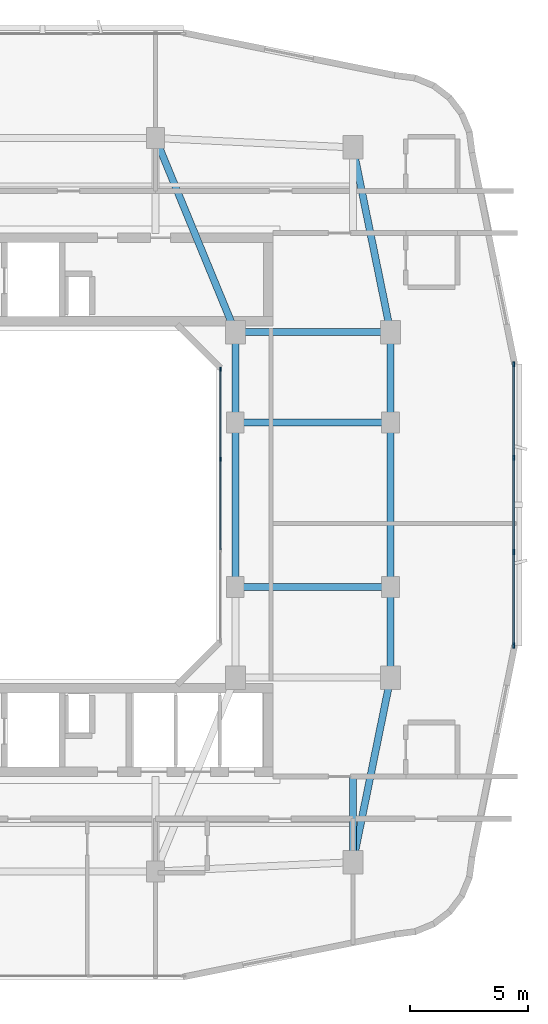
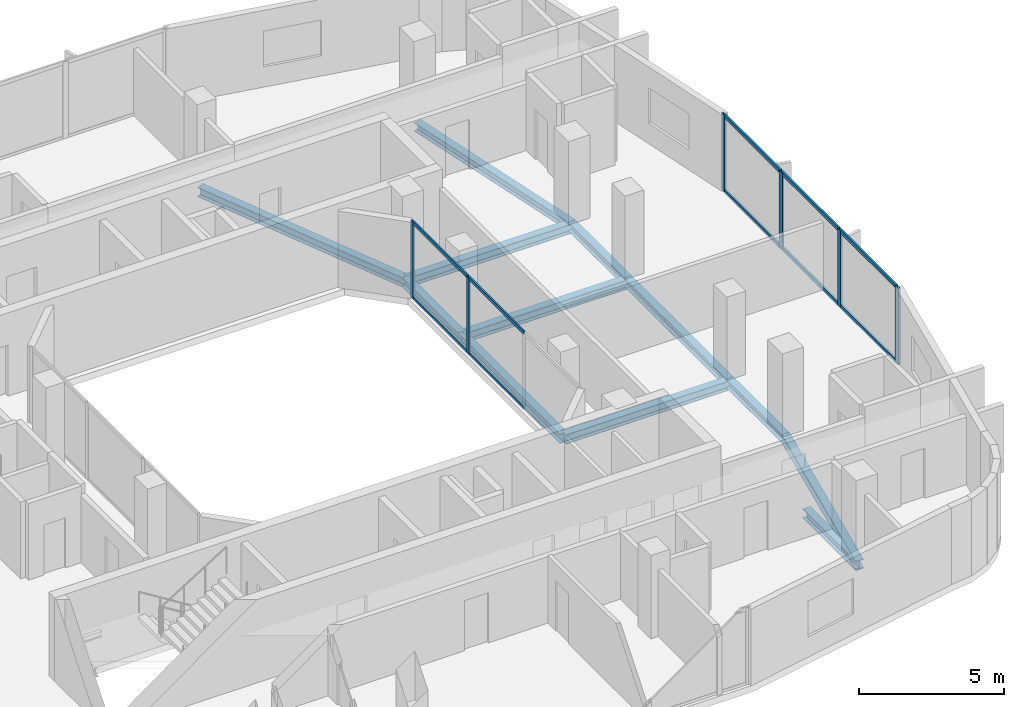
# One storey, part 4 of 14: 16 members, 12 beams, 2 elements without a shape of their own.
"""IFC4 building model written with IfcOpenShell, lengths in metres."""

from ifc_helpers import new_model, si_unit, derived_unit, direction, frame, origin, origin_2d, place, context, subcontext, project, spatial, rectangle, i_section, extrude, material, layer, layer_set, material_profile, profile_set, type_object, element, aggregate, save


model = new_model("IFC4")

# Units and contexts
model_context = context("Model", 3, precision=1e-05, world=origin(), true_north=direction((0.0, 1.0)))
body_context = subcontext(model_context, "Body", "Model", "MODEL_VIEW")
ifc_project = project(units=[si_unit("LENGTHUNIT", "METRE"), si_unit("AREAUNIT", "SQUARE_METRE"), si_unit("VOLUMEUNIT", "CUBIC_METRE"), si_unit("PLANEANGLEUNIT", "RADIAN"), si_unit("MASSUNIT", "GRAM", prefix="KILO"), derived_unit("THERMALTRANSMITTANCEUNIT", [(si_unit("POWERUNIT", "WATT"), 1), (si_unit("LENGTHUNIT", "METRE"), -2), (si_unit("THERMODYNAMICTEMPERATUREUNIT", "KELVIN"), -1)])], contexts=[model_context])

# Site, building, storey
site_placement = place(None, origin())
site = spatial("IfcSite", under=ifc_project, at=site_placement, CompositionType="ELEMENT")
building_placement = place(site_placement, origin())
building = spatial("IfcBuilding", under=site, at=building_placement, Name="Kivonza Crest Hotel", CompositionType="ELEMENT")
storey_placement = place(building_placement, frame((0.0, 0.0, 159.0)))
storey = spatial("IfcBuildingStorey", under=building, at=storey_placement, Name="L43", CompositionType="ELEMENT", Elevation=159.0)

# Beams
ifc_material_1 = material(Name="Steel S355", Category="steel")
ifc_material_profile_1 = material_profile(ifc_material_1, i_section(OverallWidth=0.300048828125, OverallDepth=0.360107421875, WebThickness=0.012451171875, FlangeThickness=0.0224609375, FilletRadius=0.027099609375, at=origin_2d()), Name="HEB 360")
ifc_profile_set_1 = profile_set([ifc_material_profile_1], Name="Steel S355")
beam_type_1 = type_object("IfcBeamType", Name="BM-HEB360", PredefinedType="SPANDREL", material=ifc_profile_set_1)
beam_1_placement = place(storey_placement, frame((34.199951171875, 9.800048828125, -0.4599609375), z_axis=(0.199730733965, 0.979850822273, 0.0), x_axis=(-0.979850822273, 0.199730733965, 0.0)))
element("IfcBeam", 1, at=beam_1_placement, inside=storey, type_object=beam_type_1, Name="Tower T1 L43 perimeter spandrel SE-PSE", PredefinedType="SPANDREL", context=body_context, shape_type="SweptSolid", body=[
    extrude(i_section(OverallWidth=0.300048828125, OverallDepth=0.360107421875, WebThickness=0.012451171875, FlangeThickness=0.0224609375, FilletRadius=0.027099609375, at=origin_2d()), origin(), (0.0, 0.0, 1.0), 8.01123046875),
])
beam_2_placement = place(storey_placement, frame((35.800048828125, 17.64990234375, -0.4599609375), z_axis=(0.0, 1.0, 0.0), x_axis=(-1.0, 0.0, 0.0)))
element("IfcBeam", 2, at=beam_2_placement, inside=storey, type_object=beam_type_1, Name="Tower T1 L43 perimeter spandrel PSE-E1", PredefinedType="SPANDREL", context=body_context, shape_type="SweptSolid", body=[
    extrude(i_section(OverallWidth=0.300048828125, OverallDepth=0.360107421875, WebThickness=0.012451171875, FlangeThickness=0.0224609375, FilletRadius=0.027099609375, at=origin_2d()), origin(), (0.0, 0.0, 1.0), 3.85009765625),
])
beam_3_placement = place(storey_placement, frame((35.800048828125, 21.5, -0.4599609375), z_axis=(0.0, 1.0, 0.0), x_axis=(-1.0, 0.0, 0.0)))
element("IfcBeam", 3, at=beam_3_placement, inside=storey, type_object=beam_type_1, Name="Tower T1 L43 perimeter spandrel E1-E2", PredefinedType="SPANDREL", context=body_context, shape_type="SweptSolid", body=[
    extrude(i_section(OverallWidth=0.300048828125, OverallDepth=0.360107421875, WebThickness=0.012451171875, FlangeThickness=0.0224609375, FilletRadius=0.027099609375, at=origin_2d()), origin(), (0.0, 0.0, 1.0), 7.0),
])
beam_4_placement = place(storey_placement, frame((35.800048828125, 28.5, -0.4599609375), z_axis=(0.0, 1.0, 0.0), x_axis=(-1.0, 0.0, 0.0)))
element("IfcBeam", 4, at=beam_4_placement, inside=storey, type_object=beam_type_1, Name="Tower T1 L43 perimeter spandrel E2-PNE", PredefinedType="SPANDREL", context=body_context, shape_type="SweptSolid", body=[
    extrude(i_section(OverallWidth=0.300048828125, OverallDepth=0.360107421875, WebThickness=0.012451171875, FlangeThickness=0.0224609375, FilletRadius=0.027099609375, at=origin_2d()), origin(), (0.0, 0.0, 1.0), 3.85009765625),
])
beam_5_placement = place(storey_placement, frame((35.800048828125, 32.35009765625, -0.4599609375), z_axis=(-0.199730733965, 0.979850822273, 0.0), x_axis=(-0.979850822273, -0.199730733965, 0.0)))
element("IfcBeam", 5, at=beam_5_placement, inside=storey, type_object=beam_type_1, Name="Tower T1 L43 perimeter spandrel PNE-NE", PredefinedType="SPANDREL", context=body_context, shape_type="SweptSolid", body=[
    extrude(i_section(OverallWidth=0.300048828125, OverallDepth=0.360107421875, WebThickness=0.012451171875, FlangeThickness=0.0224609375, FilletRadius=0.027099609375, at=origin_2d()), origin(), (0.0, 0.0, 1.0), 8.01123046875),
])
ifc_material_profile_2 = material_profile(ifc_material_1, i_section(OverallWidth=0.300048828125, OverallDepth=0.39990234375, WebThickness=0.013427734375, FlangeThickness=0.02392578125, FilletRadius=0.027099609375, at=origin_2d()), Name="HEB 400")
ifc_profile_set_2 = profile_set([ifc_material_profile_2], Name="Steel S355")
beam_type_2 = type_object("IfcBeamType", Name="BM-HEB400", PredefinedType="BEAM", material=ifc_profile_set_2)
beam_6_placement = place(storey_placement, frame((25.800048828125, 40.60009765625, -0.47998046875), z_axis=(0.381022260404, -0.924565864109, 0.0), x_axis=(0.924565864109, 0.381022260404, 0.0)))
element("IfcBeam", 6, at=beam_6_placement, inside=storey, type_object=beam_type_2, Name="Tower T1 L43 primary girder N1-TNE", PredefinedType="BEAM", context=body_context, shape_type="SweptSolid", body=[
    extrude(i_section(OverallWidth=0.300048828125, OverallDepth=0.39990234375, WebThickness=0.013427734375, FlangeThickness=0.02392578125, FilletRadius=0.027099609375, at=origin_2d()), origin(), (0.0, 0.0, 1.0), 8.923095703125),
])
beam_7_placement = place(storey_placement, frame((29.199951171875, 32.35009765625, -0.47998046875), z_axis=(1.0, 0.0, 0.0), x_axis=(0.0, 1.0, 0.0)))
element("IfcBeam", 7, at=beam_7_placement, inside=storey, type_object=beam_type_2, Name="Tower T1 L43 primary girder TNE-PNE", PredefinedType="BEAM", context=body_context, shape_type="SweptSolid", body=[
    extrude(i_section(OverallWidth=0.300048828125, OverallDepth=0.39990234375, WebThickness=0.013427734375, FlangeThickness=0.02392578125, FilletRadius=0.027099609375, at=origin_2d()), origin(), (0.0, 0.0, 1.0), 6.60009765625),
])
beam_8_placement = place(storey_placement, frame((29.199951171875, 21.5, -0.47998046875), z_axis=(0.0, 1.0, 0.0), x_axis=(-1.0, 0.0, 0.0)))
element("IfcBeam", 8, at=beam_8_placement, inside=storey, type_object=beam_type_2, Name="Tower T1 L43 primary girder WR1-WR2", PredefinedType="BEAM", context=body_context, shape_type="SweptSolid", body=[
    extrude(i_section(OverallWidth=0.300048828125, OverallDepth=0.39990234375, WebThickness=0.013427734375, FlangeThickness=0.02392578125, FilletRadius=0.027099609375, at=origin_2d()), origin(), (0.0, 0.0, 1.0), 7.0),
])
beam_9_placement = place(storey_placement, frame((29.199951171875, 28.5, -0.47998046875), z_axis=(0.0, 1.0, 0.0), x_axis=(-1.0, 0.0, 0.0)))
element("IfcBeam", 9, at=beam_9_placement, inside=storey, type_object=beam_type_2, Name="Tower T1 L43 primary girder WR2-TNE", PredefinedType="BEAM", context=body_context, shape_type="SweptSolid", body=[
    extrude(i_section(OverallWidth=0.300048828125, OverallDepth=0.39990234375, WebThickness=0.013427734375, FlangeThickness=0.02392578125, FilletRadius=0.027099609375, at=origin_2d()), origin(), (0.0, 0.0, 1.0), 3.85009765625),
])
for number, where, z_axis, x_axis, name in (
    (10, (29.199951171875, 21.5, -0.47998046875), (1.0, 0.0, 0.0), (0.0, 1.0, 0.0), "Tower T1 L43 primary girder WR1-E1"),
    (11, (29.199951171875, 28.5, -0.47998046875), (1.0, 0.0, 0.0), (0.0, 1.0, 0.0), "Tower T1 L43 primary girder WR2-E2"),
):
    element("IfcBeam", number, at=place(storey_placement, frame(where, z_axis=z_axis, x_axis=x_axis)), inside=storey, type_object=beam_type_2, Name=name, PredefinedType="BEAM", context=body_context, shape_type="SweptSolid", body=[
        extrude(i_section(OverallWidth=0.300048828125, OverallDepth=0.39990234375, WebThickness=0.013427734375, FlangeThickness=0.02392578125, FilletRadius=0.027099609375, at=origin_2d()), origin(), (0.0, 0.0, 1.0), 6.60009765625),
    ])
beam_10_placement = place(storey_placement, frame((34.199951171875, 9.800048828125, -0.47998046875), z_axis=(0.0, 1.0, 0.0), x_axis=(-1.0, 0.0, 0.0)))
element("IfcBeam", 12, at=beam_10_placement, inside=storey, type_object=beam_type_2, Name="Tower T1 L43 radial core girder RSE", PredefinedType="BEAM", context=body_context, shape_type="SweptSolid", body=[
    extrude(i_section(OverallWidth=0.300048828125, OverallDepth=0.39990234375, WebThickness=0.013427734375, FlangeThickness=0.02392578125, FilletRadius=0.027099609375, at=origin_2d()), origin(), (0.0, 0.0, 1.0), 3.64990234375),
])

# Curtain wall, members
ifc_material_2 = material(Name="Anodised bronze aluminium and low-E double glazing", Category="aluminium")
ifc_layer_1 = layer(ifc_material_2, 0.159912109375)
ifc_layer_set_1 = layer_set([ifc_layer_1], Name="Anodised bronze aluminium and low-E double glazing")
curtain_wall_type_1 = type_object("IfcCurtainWallType", Name="CW-SYS-5", PredefinedType="NOTDEFINED", material=ifc_layer_set_1)
curtain_wall_1_placement = place(storey_placement, origin())
curtain_wall_1 = element("IfcCurtainWall", 13, at=curtain_wall_1_placement, inside=storey, type_object=curtain_wall_type_1, Name="L43 unitised curtain wall CW-WELL-T1-L43-3", PredefinedType="NOTDEFINED")
ifc_material_3 = material(Name="Anodised bronze aluminium", Category="aluminium")
ifc_material_profile_3 = material_profile(ifc_material_3, rectangle(XDim=0.06494140625, YDim=0.179931640625, at=origin_2d()), Name="CW-M 65x180")
ifc_profile_set_3 = profile_set([ifc_material_profile_3], Name="Anodised bronze aluminium")
member_type_1 = type_object("IfcMemberType", Name="CW-MUL-65x180", PredefinedType="MULLION", material=ifc_profile_set_3)
member_1_placement = place(storey_placement, frame((28.56005859375, 26.933349609375, 0.0), z_axis=(0.0, 0.0, 1.0), x_axis=(-1.0, 0.0, 0.0)))
member_1 = element("IfcMember", 14, at=member_1_placement, type_object=member_type_1, Name="CW-5 mullion 3", PredefinedType="MULLION", context=body_context, shape_type="SweptSolid", body=[
    extrude(rectangle(XDim=0.06494140625, YDim=0.179931640625, at=origin_2d()), origin(), (0.0, 0.0, 1.0), 3.219970703125),
])
member_2_placement = place(storey_placement, frame((28.56005859375, 30.767578125, 0.0), z_axis=(0.0, 0.0, 1.0), x_axis=(-1.0, 0.0, 0.0)))
member_2 = element("IfcMember", 15, at=member_2_placement, type_object=member_type_1, Name="CW-5 mullion 4", PredefinedType="MULLION", context=body_context, shape_type="SweptSolid", body=[
    extrude(rectangle(XDim=0.06494140625, YDim=0.179931640625, at=origin_2d()), origin(), (0.0, 0.0, 1.0), 3.219970703125),
])

ifc_layer_2 = layer(ifc_material_2, 0.179931640625)
ifc_layer_set_2 = layer_set([ifc_layer_2], Name="Anodised bronze aluminium and low-E double glazing")
curtain_wall_type_2 = type_object("IfcCurtainWallType", Name="CW-SYS-3", PredefinedType="NOTDEFINED", material=ifc_layer_set_2)
curtain_wall_2_placement = place(storey_placement, origin())
curtain_wall_2 = element("IfcCurtainWall", 16, at=curtain_wall_2_placement, inside=storey, type_object=curtain_wall_type_2, Name="L43 unitised curtain wall CW-T1-L43-17", PredefinedType="NOTDEFINED")
ifc_material_profile_4 = material_profile(ifc_material_3, rectangle(XDim=0.074951171875, YDim=0.219970703125, at=origin_2d()), Name="CW-M 75x220")
ifc_profile_set_4 = profile_set([ifc_material_profile_4], Name="Anodised bronze aluminium")
member_type_2 = type_object("IfcMemberType", Name="CW-MUL-75x220", PredefinedType="MULLION", material=ifc_profile_set_4)
member_3_placement = place(storey_placement, frame((41.0400390625, 19.017578125, 0.0), z_axis=(0.0, 0.0, 1.0), x_axis=(-1.0, 0.0, 0.0)))
member_3 = element("IfcMember", 17, at=member_3_placement, type_object=member_type_2, Name="CW-3 mullion 1", PredefinedType="MULLION", context=body_context, shape_type="SweptSolid", body=[
    extrude(rectangle(XDim=0.074951171875, YDim=0.219970703125, at=origin_2d()), origin(), (0.0, 0.0, 1.0), 3.219970703125),
])
member_4_placement = place(storey_placement, frame((41.0400390625, 22.993408203125, 0.0), z_axis=(0.0, 0.0, 1.0), x_axis=(-1.0, 0.0, 0.0)))
member_4 = element("IfcMember", 18, at=member_4_placement, type_object=member_type_2, Name="CW-3 mullion 2", PredefinedType="MULLION", context=body_context, shape_type="SweptSolid", body=[
    extrude(rectangle(XDim=0.074951171875, YDim=0.219970703125, at=origin_2d()), origin(), (0.0, 0.0, 1.0), 3.219970703125),
])
member_5_placement = place(storey_placement, frame((41.0400390625, 27.006591796875, 0.0), z_axis=(0.0, 0.0, 1.0), x_axis=(-1.0, 0.0, 0.0)))
member_5 = element("IfcMember", 19, at=member_5_placement, type_object=member_type_2, Name="CW-3 mullion 3", PredefinedType="MULLION", context=body_context, shape_type="SweptSolid", body=[
    extrude(rectangle(XDim=0.074951171875, YDim=0.219970703125, at=origin_2d()), origin(), (0.0, 0.0, 1.0), 3.219970703125),
])
member_6_placement = place(storey_placement, frame((41.0400390625, 30.982421875, 0.0), z_axis=(0.0, 0.0, 1.0), x_axis=(-1.0, 0.0, 0.0)))
member_6 = element("IfcMember", 20, at=member_6_placement, type_object=member_type_2, Name="CW-3 mullion 4", PredefinedType="MULLION", context=body_context, shape_type="SweptSolid", body=[
    extrude(rectangle(XDim=0.074951171875, YDim=0.219970703125, at=origin_2d()), origin(), (0.0, 0.0, 1.0), 3.219970703125),
])

# Member
ifc_material_profile_5 = material_profile(ifc_material_3, rectangle(XDim=0.06494140625, YDim=0.139892578125, at=origin_2d()), Name="CW-T 65x140")
ifc_profile_set_5 = profile_set([ifc_material_profile_5], Name="Anodised bronze aluminium")
member_type_3 = type_object("IfcMemberType", Name="CW-TRN-65x140", PredefinedType="USERDEFINED", material=ifc_profile_set_5)
member_7_placement = place(storey_placement, frame((28.56005859375, 23.09912109375, 0.032470703125), z_axis=(0.0, 1.0, 0.0), x_axis=(-1.0, 0.0, 0.0)))
member_7 = element("IfcMember", 21, at=member_7_placement, type_object=member_type_3, Name="CW-5 transom 2.1", ObjectType="TRANSOM", PredefinedType="USERDEFINED", context=body_context, shape_type="SweptSolid", body=[
    extrude(rectangle(XDim=0.06494140625, YDim=0.139892578125, at=origin_2d()), origin(), (0.0, 0.0, 1.0), 3.8017578125),
])

member_8_placement = place(storey_placement, frame((28.56005859375, 23.09912109375, 3.1875), z_axis=(0.0, 1.0, 0.0), x_axis=(-1.0, 0.0, 0.0)))
member_8 = element("IfcMember", 22, at=member_8_placement, type_object=member_type_3, Name="CW-5 transom 2.2", ObjectType="TRANSOM", PredefinedType="USERDEFINED", context=body_context, shape_type="SweptSolid", body=[
    extrude(rectangle(XDim=0.06494140625, YDim=0.139892578125, at=origin_2d()), origin(), (0.0, 0.0, 1.0), 3.8017578125),
])

member_9_placement = place(storey_placement, frame((28.56005859375, 26.9658203125, 0.032470703125), z_axis=(0.0, 1.0, 0.0), x_axis=(-1.0, 0.0, 0.0)))
member_9 = element("IfcMember", 23, at=member_9_placement, type_object=member_type_3, Name="CW-5 transom 3.1", ObjectType="TRANSOM", PredefinedType="USERDEFINED", context=body_context, shape_type="SweptSolid", body=[
    extrude(rectangle(XDim=0.06494140625, YDim=0.139892578125, at=origin_2d()), origin(), (0.0, 0.0, 1.0), 3.769287109375),
])

member_10_placement = place(storey_placement, frame((28.56005859375, 26.9658203125, 3.1875), z_axis=(0.0, 1.0, 0.0), x_axis=(-1.0, 0.0, 0.0)))
member_10 = element("IfcMember", 24, at=member_10_placement, type_object=member_type_3, Name="CW-5 transom 3.2", ObjectType="TRANSOM", PredefinedType="USERDEFINED", context=body_context, shape_type="SweptSolid", body=[
    extrude(rectangle(XDim=0.06494140625, YDim=0.139892578125, at=origin_2d()), origin(), (0.0, 0.0, 1.0), 3.769287109375),
])

aggregate(curtain_wall_1, [member_1, member_2, member_7, member_8, member_9, member_10])

ifc_material_profile_6 = material_profile(ifc_material_3, rectangle(XDim=0.074951171875, YDim=0.159912109375, at=origin_2d()), Name="CW-T 75x160")
ifc_profile_set_6 = profile_set([ifc_material_profile_6], Name="Anodised bronze aluminium")
member_type_4 = type_object("IfcMemberType", Name="CW-TRN-75x160", PredefinedType="USERDEFINED", material=ifc_profile_set_6)
member_11_placement = place(storey_placement, frame((41.0400390625, 19.054931640625, 0.03759765625), z_axis=(0.0, 1.0, 0.0), x_axis=(-1.0, 0.0, 0.0)))
member_11 = element("IfcMember", 25, at=member_11_placement, type_object=member_type_4, Name="CW-3 transom 1.1", ObjectType="TRANSOM", PredefinedType="USERDEFINED", context=body_context, shape_type="SweptSolid", body=[
    extrude(rectangle(XDim=0.074951171875, YDim=0.159912109375, at=origin_2d()), origin(), (0.0, 0.0, 1.0), 3.90087890625),
])

member_12_placement = place(storey_placement, frame((41.0400390625, 19.054931640625, 3.1826171875), z_axis=(0.0, 1.0, 0.0), x_axis=(-1.0, 0.0, 0.0)))
member_12 = element("IfcMember", 26, at=member_12_placement, type_object=member_type_4, Name="CW-3 transom 1.2", ObjectType="TRANSOM", PredefinedType="USERDEFINED", context=body_context, shape_type="SweptSolid", body=[
    extrude(rectangle(XDim=0.074951171875, YDim=0.159912109375, at=origin_2d()), origin(), (0.0, 0.0, 1.0), 3.90087890625),
])

member_13_placement = place(storey_placement, frame((41.0400390625, 23.03076171875, 0.03759765625), z_axis=(0.0, 1.0, 0.0), x_axis=(-1.0, 0.0, 0.0)))
member_13 = element("IfcMember", 27, at=member_13_placement, type_object=member_type_4, Name="CW-3 transom 2.1", ObjectType="TRANSOM", PredefinedType="USERDEFINED", context=body_context, shape_type="SweptSolid", body=[
    extrude(rectangle(XDim=0.074951171875, YDim=0.159912109375, at=origin_2d()), origin(), (0.0, 0.0, 1.0), 3.9384765625),
])

member_14_placement = place(storey_placement, frame((41.0400390625, 23.03076171875, 3.1826171875), z_axis=(0.0, 1.0, 0.0), x_axis=(-1.0, 0.0, 0.0)))
member_14 = element("IfcMember", 28, at=member_14_placement, type_object=member_type_4, Name="CW-3 transom 2.2", ObjectType="TRANSOM", PredefinedType="USERDEFINED", context=body_context, shape_type="SweptSolid", body=[
    extrude(rectangle(XDim=0.074951171875, YDim=0.159912109375, at=origin_2d()), origin(), (0.0, 0.0, 1.0), 3.9384765625),
])

member_15_placement = place(storey_placement, frame((41.0400390625, 27.044189453125, 0.03759765625), z_axis=(0.0, 1.0, 0.0), x_axis=(-1.0, 0.0, 0.0)))
member_15 = element("IfcMember", 29, at=member_15_placement, type_object=member_type_4, Name="CW-3 transom 3.1", ObjectType="TRANSOM", PredefinedType="USERDEFINED", context=body_context, shape_type="SweptSolid", body=[
    extrude(rectangle(XDim=0.074951171875, YDim=0.159912109375, at=origin_2d()), origin(), (0.0, 0.0, 1.0), 3.90087890625),
])

member_16_placement = place(storey_placement, frame((41.0400390625, 27.044189453125, 3.1826171875), z_axis=(0.0, 1.0, 0.0), x_axis=(-1.0, 0.0, 0.0)))
member_16 = element("IfcMember", 30, at=member_16_placement, type_object=member_type_4, Name="CW-3 transom 3.2", ObjectType="TRANSOM", PredefinedType="USERDEFINED", context=body_context, shape_type="SweptSolid", body=[
    extrude(rectangle(XDim=0.074951171875, YDim=0.159912109375, at=origin_2d()), origin(), (0.0, 0.0, 1.0), 3.90087890625),
])

aggregate(curtain_wall_2, [member_3, member_4, member_5, member_6, member_11, member_12, member_13, member_14, member_15, member_16])

save(model, "model.ifc")
